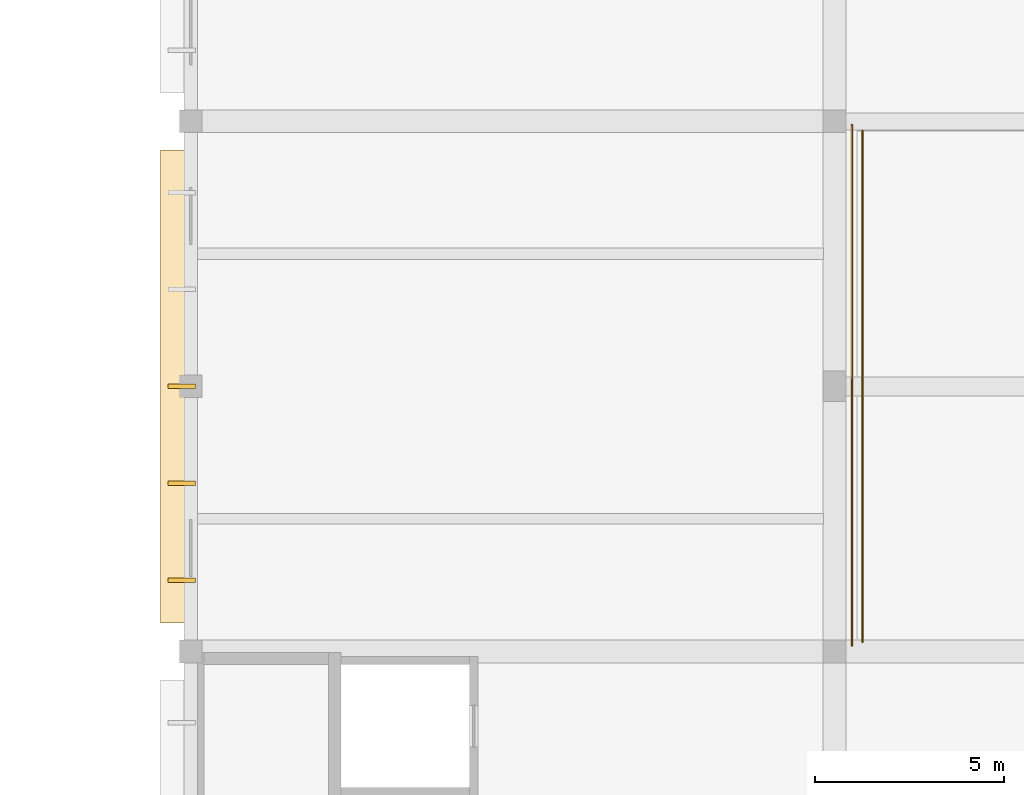
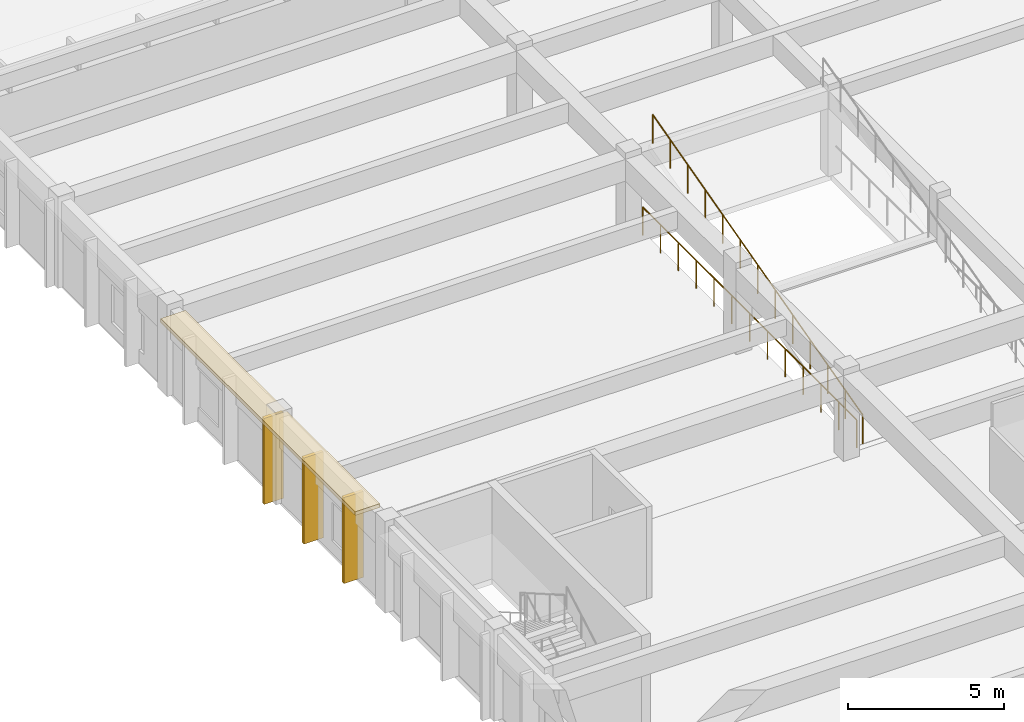
# One storey, part 28 of 33: 4 coverings, 2 railings.
"""IFC4 building model written with IfcOpenShell, lengths in metres."""

from ifc_helpers import new_model, si_unit, direction, frame, origin, origin_2d, place, context, subcontext, project, spatial, rectangle, circle, extrude, material, layer, layer_set, type_object, element, save


model = new_model("IFC4")

# Units and contexts
model_context = context("Model", 3, precision=1e-05, world=origin(), true_north=direction((0.0, 1.0)))
body_context = subcontext(model_context, "Body", "Model", "MODEL_VIEW")
ifc_project = project(units=[si_unit("LENGTHUNIT", "METRE"), si_unit("AREAUNIT", "SQUARE_METRE"), si_unit("VOLUMEUNIT", "CUBIC_METRE"), si_unit("PLANEANGLEUNIT", "RADIAN"), si_unit("MASSUNIT", "GRAM", prefix="KILO")], contexts=[model_context])

# Site, building, storey
site_placement = place(None, origin())
site = spatial("IfcSite", under=ifc_project, at=site_placement, CompositionType="ELEMENT")
building_placement = place(site_placement, origin())
building = spatial("IfcBuilding", under=site, at=building_placement, Name="Larkveld Mobility Hub", CompositionType="ELEMENT")
storey_placement = place(building_placement, frame((0.0, 0.0, 15.60009765625)))
storey = spatial("IfcBuildingStorey", under=building, at=storey_placement, Name="L04", CompositionType="ELEMENT", Elevation=15.60009765625)

# Coverings
ifc_material_1 = material(Name="Precast concrete C50/60", Category="concrete")
ifc_layer_1 = layer(ifc_material_1, 0.14990234375, Name="Precast concrete C50/60", Category="concrete")
ifc_layer_set_1 = layer_set([ifc_layer_1], Name="Precast concrete C50/60")
covering_type_1 = type_object("IfcCoveringType", Name="COV-QSL-H01", PredefinedType="CLADDING", material=ifc_layer_set_1)
covering_placement = place(storey_placement, frame((111.659912109375, 63.0, 3.369873046875), z_axis=(0.0, 0.0, 1.0), x_axis=(0.0, -1.0, 0.0)))
element("IfcCovering", 1, at=covering_placement, inside=storey, type_object=covering_type_1, Name="Precast Quebra-Sol Horizontal Sunbreaker QSH-557", PredefinedType="CLADDING", context=body_context, shape_type="SweptSolid", body=[
    extrude(rectangle(XDim=12.5, YDim=0.919921875, at=origin_2d()), origin(), (0.0, 0.0, 1.0), 0.14990234375),
])
ifc_layer_2 = layer(ifc_material_1, 0.1201171875, Name="Precast concrete C50/60", Category="concrete")
ifc_layer_set_2 = layer_set([ifc_layer_2], Name="Precast concrete C50/60")
covering_type_2 = type_object("IfcCoveringType", Name="COV-QSL-V01", PredefinedType="CLADDING", material=ifc_layer_set_2)
for number, where, z_axis, x_axis, name in (
    (2, (111.760009765625, 63.0, -0.0205078125), (0.0, 0.0, 1.0), (0.0, -1.0, 0.0), "Precast Quebra-Sol Vertical Fin QSV-560"),
    (3, (111.760009765625, 60.43994140625, -0.0205078125), (0.0, 0.0, 1.0), (0.0, -1.0, 0.0), "Precast Quebra-Sol Vertical Fin QSV-561"),
    (4, (111.760009765625, 57.8798828125, -0.0205078125), (0.0, 0.0, 1.0), (0.0, -1.0, 0.0), "Precast Quebra-Sol Vertical Fin QSV-562"),
):
    element("IfcCovering", number, at=place(storey_placement, frame(where, z_axis=z_axis, x_axis=x_axis)), inside=storey, type_object=covering_type_2, Name=name, PredefinedType="CLADDING", context=body_context, shape_type="SweptSolid", body=[
        extrude(rectangle(XDim=0.1201171875, YDim=0.719970703125, at=origin_2d()), origin(), (0.0, 0.0, 1.0), 3.375),
    ])

# Railings
ifc_material_2 = material(Name="Galvanized Steel S355JR void balustrade", Category="steel")
railing_type_1 = type_object("IfcRailingType", Name="RL-GRD-1120", PredefinedType="GUARDRAIL", material=ifc_material_2)
railing_1_placement = place(storey_placement, frame((129.4599609375, 56.159912109375, 0.0)))
element("IfcRailing", 5, at=railing_1_placement, inside=storey, type_object=railing_type_1, Name="EV Ramp Void West Guard L04 L04-064", PredefinedType="GUARDRAIL", context=body_context, shape_type="SweptSolid", body=[
    extrude(circle(Radius=0.02392578125, at=origin_2d()), frame((0.0, 0.0, 1.09619140625), z_axis=(0.0, 1.0, 0.0), x_axis=(-1.0, 0.0, 0.0)), (0.0, 0.0, 1.0), 13.739990234375),
    extrude(circle(Radius=0.02099609375, at=origin_2d()), origin(), (0.0, 0.0, 1.0), 1.072021484375),
    extrude(circle(Radius=0.02099609375, at=origin_2d()), frame((0.0, 1.14501953125, 0.0)), (0.0, 0.0, 1.0), 1.072021484375),
    extrude(circle(Radius=0.02099609375, at=origin_2d()), frame((0.0, 2.2900390625, 0.0)), (0.0, 0.0, 1.0), 1.072021484375),
    extrude(circle(Radius=0.02099609375, at=origin_2d()), frame((0.0, 3.43505859375, 0.0)), (0.0, 0.0, 1.0), 1.072021484375),
    extrude(circle(Radius=0.02099609375, at=origin_2d()), frame((0.0, 4.580078125, 0.0)), (0.0, 0.0, 1.0), 1.072021484375),
    extrude(circle(Radius=0.02099609375, at=origin_2d()), frame((0.0, 5.72509765625, 0.0)), (0.0, 0.0, 1.0), 1.072021484375),
    extrude(circle(Radius=0.02099609375, at=origin_2d()), frame((0.0, 6.8701171875, 0.0)), (0.0, 0.0, 1.0), 1.072021484375),
    extrude(circle(Radius=0.02099609375, at=origin_2d()), frame((0.0, 8.014892578125, 0.0)), (0.0, 0.0, 1.0), 1.072021484375),
    extrude(circle(Radius=0.02099609375, at=origin_2d()), frame((0.0, 9.159912109375, 0.0)), (0.0, 0.0, 1.0), 1.072021484375),
    extrude(circle(Radius=0.02099609375, at=origin_2d()), frame((0.0, 10.304931640625, 0.0)), (0.0, 0.0, 1.0), 1.072021484375),
    extrude(circle(Radius=0.02099609375, at=origin_2d()), frame((0.0, 11.449951171875, 0.0)), (0.0, 0.0, 1.0), 1.072021484375),
    extrude(circle(Radius=0.02099609375, at=origin_2d()), frame((0.0, 12.594970703125, 0.0)), (0.0, 0.0, 1.0), 1.072021484375),
    extrude(circle(Radius=0.02099609375, at=origin_2d()), frame((0.0, 13.739990234375, 0.0)), (0.0, 0.0, 1.0), 1.072021484375),
])
ifc_material_3 = material(Name="Galvanized Steel S355JR vehicle-deck guard", Category="steel")
railing_type_2 = type_object("IfcRailingType", Name="RL-GRD-RMP", PredefinedType="GUARDRAIL", material=ifc_material_3)
railing_2_placement = place(storey_placement, frame((129.739990234375, 56.25, 0.0)))
element("IfcRailing", 6, at=railing_2_placement, inside=storey, type_object=railing_type_2, Name="EV Ramp West Sloped Guard L04-035", PredefinedType="GUARDRAIL", context=body_context, shape_type="SweptSolid", body=[
    extrude(circle(Radius=0.02392578125, at=origin_2d()), frame((0.0, 0.0, 1.1259765625), z_axis=(0.0, 0.966237549763, 0.257652862255), x_axis=(-1.0, 0.0, 0.0)), (0.0, 0.0, 1.0), 13.9716796875),
    extrude(circle(Radius=0.02099609375, at=origin_2d()), origin(), (0.0, 0.0, 1.0), 1.101806640625),
    extrude(circle(Radius=0.02099609375, at=origin_2d()), frame((0.0, 1.125, 0.300048828125)), (0.0, 0.0, 1.0), 1.101806640625),
    extrude(circle(Radius=0.02099609375, at=origin_2d()), frame((0.0, 2.25, 0.60009765625)), (0.0, 0.0, 1.0), 1.101806640625),
    extrude(circle(Radius=0.02099609375, at=origin_2d()), frame((0.0, 3.375, 0.89990234375)), (0.0, 0.0, 1.0), 1.101806640625),
    extrude(circle(Radius=0.02099609375, at=origin_2d()), frame((0.0, 4.5, 1.199951171875)), (0.0, 0.0, 1.0), 1.101806640625),
    extrude(circle(Radius=0.02099609375, at=origin_2d()), frame((0.0, 5.625, 1.5)), (0.0, 0.0, 1.0), 1.101806640625),
    extrude(circle(Radius=0.02099609375, at=origin_2d()), frame((0.0, 6.75, 1.7998046875)), (0.0, 0.0, 1.0), 1.101806640625),
    extrude(circle(Radius=0.02099609375, at=origin_2d()), frame((0.0, 7.875, 2.099853515625)), (0.0, 0.0, 1.0), 1.101806640625),
    extrude(circle(Radius=0.02099609375, at=origin_2d()), frame((0.0, 9.0, 2.39990234375)), (0.0, 0.0, 1.0), 1.101806640625),
    extrude(circle(Radius=0.02099609375, at=origin_2d()), frame((0.0, 10.125, 2.699951171875)), (0.0, 0.0, 1.0), 1.101806640625),
    extrude(circle(Radius=0.02099609375, at=origin_2d()), frame((0.0, 11.25, 3.0)), (0.0, 0.0, 1.0), 1.101806640625),
    extrude(circle(Radius=0.02099609375, at=origin_2d()), frame((0.0, 12.375, 3.2998046875)), (0.0, 0.0, 1.0), 1.101806640625),
    extrude(circle(Radius=0.02099609375, at=origin_2d()), frame((0.0, 13.5, 3.599853515625)), (0.0, 0.0, 1.0), 1.101806640625),
])

save(model, "model.ifc")
